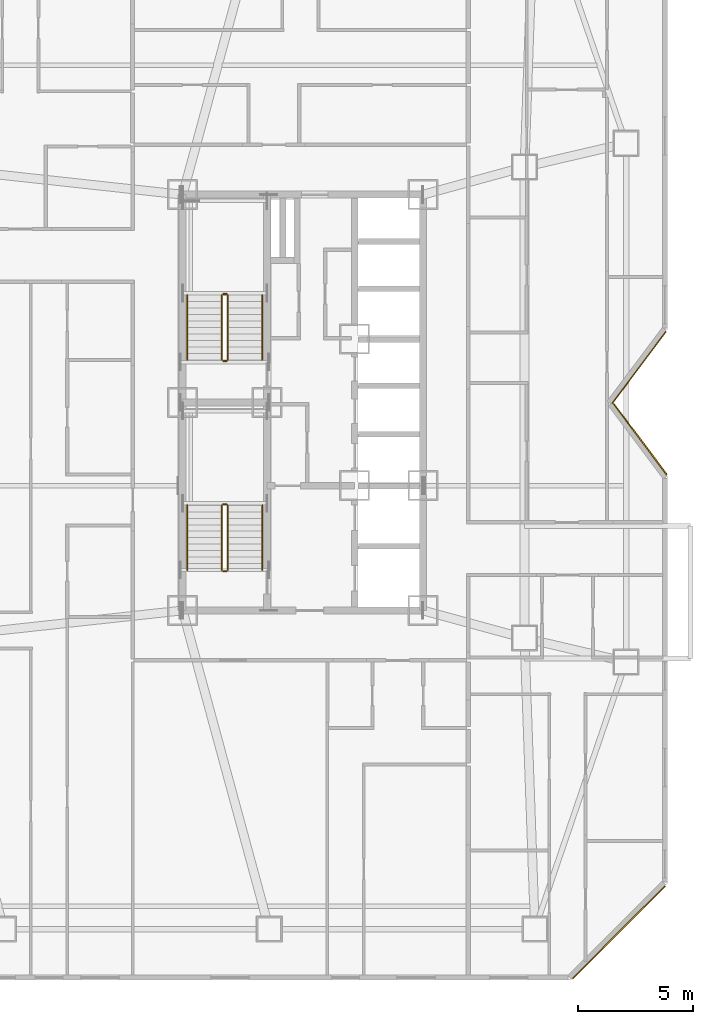
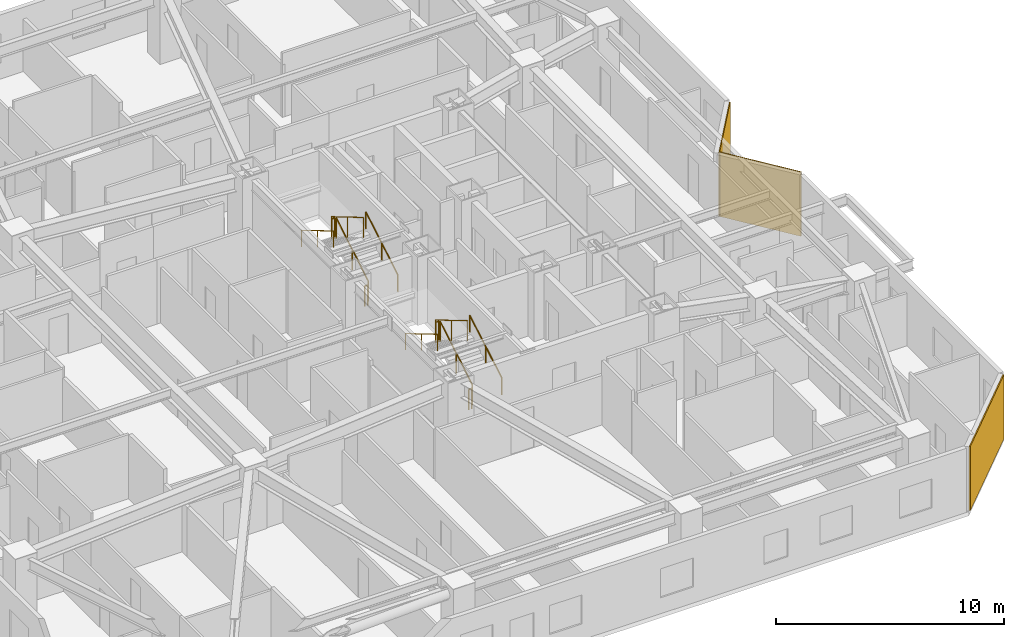
# One storey, part 16 of 17: 12 railings, 3 coverings.
"""IFC4 building model written with IfcOpenShell, lengths in metres."""

from ifc_helpers import new_model, si_unit, direction, frame, origin, origin_2d, place, context, subcontext, project, spatial, rectangle, circle, extrude, material, layer, layer_set, type_object, element, save


model = new_model("IFC4")

# Units and contexts
model_context = context("Model", 3, precision=1e-05, world=origin(), true_north=direction((0.0, 1.0)))
body_context = subcontext(model_context, "Body", "Model", "MODEL_VIEW")
ifc_project = project(units=[si_unit("LENGTHUNIT", "METRE"), si_unit("AREAUNIT", "SQUARE_METRE"), si_unit("VOLUMEUNIT", "CUBIC_METRE"), si_unit("PLANEANGLEUNIT", "RADIAN"), si_unit("MASSUNIT", "GRAM", prefix="KILO")], contexts=[model_context])

# Site, building, storey
site_placement = place(None, origin())
site = spatial("IfcSite", under=ifc_project, at=site_placement, CompositionType="ELEMENT")
building_placement = place(site_placement, origin())
building = spatial("IfcBuilding", under=site, at=building_placement, Name="Khamvora Tower", CompositionType="ELEMENT")
storey_placement = place(building_placement, frame((0.0, 0.0, 73.449951171875)))
storey = spatial("IfcBuildingStorey", under=building, at=storey_placement, Name="L18", CompositionType="ELEMENT", Elevation=73.449951171875)

# Coverings
ifc_material_1 = material(Name="Pale Anodised Aluminium Rainscreen Panel", Category="aluminium")
ifc_layer_1 = layer(ifc_material_1, 0.044921875)
ifc_layer_set_1 = layer_set([ifc_layer_1], Name="Pale Anodised Aluminium Rainscreen Panel")
covering_type_1 = type_object("IfcCoveringType", Name="COV-CLD-ALU", PredefinedType="CLADDING", material=ifc_layer_set_1)
covering_1_placement = place(storey_placement, frame((48.760986328125, 29.51904296875, 0.0), z_axis=(0.0, 0.0, 1.0), x_axis=(-0.600120318085, -0.799909747298, 0.0)))
element("IfcCovering", 1, at=covering_1_placement, inside=storey, type_object=covering_type_1, Name="L18 chamfer rainscreen cladding 10.1", PredefinedType="CLADDING", context=body_context, shape_type="SweptSolid", body=[
    extrude(rectangle(XDim=3.888916015625, YDim=0.044921875, at=origin_2d()), origin(), (0.0, 0.0, 1.0), 3.429931640625),
])
ifc_material_2 = material(Name="Anodised Bronze Aluminium Spandrel Panel", Category="aluminium")
ifc_layer_2 = layer(ifc_material_2, 0.054931640625)
ifc_layer_set_2 = layer_set([ifc_layer_2], Name="Anodised Bronze Aluminium Spandrel Panel")
covering_type_2 = type_object("IfcCoveringType", Name="COV-CLD-BRZ", PredefinedType="CLADDING", material=ifc_layer_set_2)
covering_2_placement = place(storey_placement, frame((48.806884765625, 26.419921875, 0.0), z_axis=(0.0, 0.0, 1.0), x_axis=(0.600161988406, -0.799878483066, 0.0)))
element("IfcCovering", 2, at=covering_2_placement, inside=storey, type_object=covering_type_2, Name="L18 chamfer rainscreen cladding 11.1", PredefinedType="CLADDING", context=body_context, shape_type="SweptSolid", body=[
    extrude(rectangle(XDim=3.85107421875, YDim=0.054931640625, at=origin_2d()), origin(), (0.0, 0.0, 1.0), 3.429931640625),
])
covering_3_placement = place(storey_placement, frame((47.887939453125, 5.06201171875, 0.0), z_axis=(0.0, 0.0, 1.0), x_axis=(-0.707106781187, -0.707106781187, 0.0)))
element("IfcCovering", 3, at=covering_3_placement, inside=storey, type_object=covering_type_2, Name="L18 chamfer rainscreen cladding 13.1", PredefinedType="CLADDING", context=body_context, shape_type="SweptSolid", body=[
    extrude(rectangle(XDim=5.677978515625, YDim=0.054931640625, at=origin_2d()), origin(), (0.0, 0.0, 1.0), 3.429931640625),
])

# Railings
ifc_material_3 = material(Name="Brushed Stainless Steel 316", Category="steel")
railing_type_1 = type_object("IfcRailingType", Name="RAL-HDR-920", PredefinedType="HANDRAIL", material=ifc_material_3)
railing_1_placement = place(storey_placement, frame((32.449951171875, 20.75, 0.166015625)))
element("IfcRailing", 4, at=railing_1_placement, inside=storey, type_object=railing_type_1, Name="L18 ST-01 stair handrail 1", PredefinedType="HANDRAIL", context=body_context, shape_type="SweptSolid", body=[
    extrude(circle(Radius=0.02392578125, at=origin_2d()), frame((0.0, 0.0, 0.8759765625), z_axis=(0.0, 0.860339051648, 0.50972219513), x_axis=(-1.0, 0.0, 0.0)), (0.0, 0.0, 1.0), 3.254638671875),
    extrude(circle(Radius=0.02099609375, at=origin_2d()), origin(), (0.0, 0.0, 1.0), 0.851806640625),
    extrude(circle(Radius=0.02099609375, at=origin_2d()), frame((0.0, 1.39990234375, 0.82958984375)), (0.0, 0.0, 1.0), 0.851806640625),
    extrude(circle(Radius=0.02099609375, at=origin_2d()), frame((0.0, 2.800048828125, 1.658935546875)), (0.0, 0.0, 1.0), 0.851806640625),
])
railing_2_placement = place(storey_placement, frame((29.199951171875, 23.550048828125, 1.990966796875)))
element("IfcRailing", 5, at=railing_2_placement, inside=storey, type_object=railing_type_1, Name="L18 ST-01 stair handrail 2", PredefinedType="HANDRAIL", context=body_context, shape_type="SweptSolid", body=[
    extrude(circle(Radius=0.02392578125, at=origin_2d()), frame((0.0, 0.0, 0.8759765625), z_axis=(0.0, -0.860306154799, 0.50977771628), x_axis=(1.0, 0.0, 0.0)), (0.0, 0.0, 1.0), 3.254638671875),
    extrude(circle(Radius=0.02099609375, at=origin_2d()), origin(), (0.0, 0.0, 1.0), 0.851806640625),
    extrude(circle(Radius=0.02099609375, at=origin_2d()), frame((0.0, -1.39990234375, 0.82958984375)), (0.0, 0.0, 1.0), 0.851806640625),
    extrude(circle(Radius=0.02099609375, at=origin_2d()), frame((0.0, -2.800048828125, 1.6591796875)), (0.0, 0.0, 1.0), 0.851806640625),
])
railing_3_placement = place(storey_placement, frame((32.449951171875, 29.85009765625, 0.166015625)))
element("IfcRailing", 6, at=railing_3_placement, inside=storey, type_object=railing_type_1, Name="L18 ST-02 stair handrail 1", PredefinedType="HANDRAIL", context=body_context, shape_type="SweptSolid", body=[
    extrude(circle(Radius=0.02392578125, at=origin_2d()), frame((0.0, 0.0, 0.8759765625), z_axis=(0.0, 0.860319559791, 0.509755093197), x_axis=(-1.0, 0.0, 0.0)), (0.0, 0.0, 1.0), 3.25439453125),
    extrude(circle(Radius=0.02099609375, at=origin_2d()), origin(), (0.0, 0.0, 1.0), 0.851806640625),
    extrude(circle(Radius=0.02099609375, at=origin_2d()), frame((0.0, 1.39990234375, 0.82958984375)), (0.0, 0.0, 1.0), 0.851806640625),
    extrude(circle(Radius=0.02099609375, at=origin_2d()), frame((0.0, 2.7998046875, 1.658935546875)), (0.0, 0.0, 1.0), 0.851806640625),
])
railing_4_placement = place(storey_placement, frame((29.199951171875, 32.64990234375, 1.990966796875)))
element("IfcRailing", 7, at=railing_4_placement, inside=storey, type_object=railing_type_1, Name="L18 ST-02 stair handrail 2", PredefinedType="HANDRAIL", context=body_context, shape_type="SweptSolid", body=[
    extrude(circle(Radius=0.02392578125, at=origin_2d()), frame((0.0, 0.0, 0.8759765625), z_axis=(0.0, -0.860286659441, 0.509810615413), x_axis=(1.0, 0.0, 0.0)), (0.0, 0.0, 1.0), 3.25439453125),
    extrude(circle(Radius=0.02099609375, at=origin_2d()), origin(), (0.0, 0.0, 1.0), 0.851806640625),
    extrude(circle(Radius=0.02099609375, at=origin_2d()), frame((0.0, -1.39990234375, 0.82958984375)), (0.0, 0.0, 1.0), 0.851806640625),
    extrude(circle(Radius=0.02099609375, at=origin_2d()), frame((0.0, -2.7998046875, 1.6591796875)), (0.0, 0.0, 1.0), 0.851806640625),
])
ifc_material_4 = material(Name="Stainless Steel 316", Category="steel")
railing_type_2 = type_object("IfcRailingType", Name="RAL-STG-1100", PredefinedType="GUARDRAIL", material=ifc_material_4)
railing_5_placement = place(storey_placement, frame((30.949951171875, 20.75, 0.166015625)))
element("IfcRailing", 8, at=railing_5_placement, inside=storey, type_object=railing_type_2, Name="L18 ST-01 stair guard 1", PredefinedType="GUARDRAIL", context=body_context, shape_type="SweptSolid", body=[
    extrude(circle(Radius=0.02392578125, at=origin_2d()), frame((0.0, 0.0, 1.076171875), z_axis=(0.0, 0.860339051648, 0.50972219513), x_axis=(-1.0, 0.0, 0.0)), (0.0, 0.0, 1.0), 3.254638671875),
    extrude(circle(Radius=0.02099609375, at=origin_2d()), origin(), (0.0, 0.0, 1.0), 1.052001953125),
    extrude(circle(Radius=0.02099609375, at=origin_2d()), frame((0.0, 1.39990234375, 0.82958984375)), (0.0, 0.0, 1.0), 1.052001953125),
    extrude(circle(Radius=0.02099609375, at=origin_2d()), frame((0.0, 2.800048828125, 1.658935546875)), (0.0, 0.0, 1.0), 1.052001953125),
])
railing_6_placement = place(storey_placement, frame((30.89990234375, 23.60009765625, 1.824951171875)))
element("IfcRailing", 9, at=railing_6_placement, inside=storey, type_object=railing_type_2, Name="L18 ST-01 stair guard 2", PredefinedType="GUARDRAIL", context=body_context, shape_type="SweptSolid", body=[
    extrude(circle(Radius=0.02392578125, at=origin_2d()), frame((0.0, 0.0, 1.076171875), z_axis=(-1.0, 0.0, 0.0), x_axis=(0.0, -1.0, 0.0)), (0.0, 0.0, 1.0), 0.14990234375),
    extrude(circle(Radius=0.02099609375, at=origin_2d()), origin(), (0.0, 0.0, 1.0), 1.052001953125),
    extrude(circle(Radius=0.02099609375, at=origin_2d()), frame((-0.14990234375, 0.0, 0.0)), (0.0, 0.0, 1.0), 1.052001953125),
])
railing_7_placement = place(storey_placement, frame((30.699951171875, 23.550048828125, 1.990966796875)))
element("IfcRailing", 10, at=railing_7_placement, inside=storey, type_object=railing_type_2, Name="L18 ST-01 stair guard 3", PredefinedType="GUARDRAIL", context=body_context, shape_type="SweptSolid", body=[
    extrude(circle(Radius=0.02392578125, at=origin_2d()), frame((0.0, 0.0, 1.076171875), z_axis=(0.0, -0.860306154799, 0.50977771628), x_axis=(1.0, 0.0, 0.0)), (0.0, 0.0, 1.0), 3.254638671875),
    extrude(circle(Radius=0.02099609375, at=origin_2d()), origin(), (0.0, 0.0, 1.0), 1.052001953125),
    extrude(circle(Radius=0.02099609375, at=origin_2d()), frame((0.0, -1.39990234375, 0.82958984375)), (0.0, 0.0, 1.0), 1.052001953125),
    extrude(circle(Radius=0.02099609375, at=origin_2d()), frame((0.0, -2.800048828125, 1.6591796875)), (0.0, 0.0, 1.0), 1.052001953125),
])
railing_8_placement = place(storey_placement, frame((30.89990234375, 20.699951171875, 0.0)))
element("IfcRailing", 11, at=railing_8_placement, inside=storey, type_object=railing_type_2, Name="L18 ST-01 stair guard 4", PredefinedType="GUARDRAIL", context=body_context, shape_type="SweptSolid", body=[
    extrude(circle(Radius=0.02392578125, at=origin_2d()), frame((0.0, 0.0, 1.076171875), z_axis=(-1.0, 0.0, 0.0), x_axis=(0.0, -1.0, 0.0)), (0.0, 0.0, 1.0), 0.14990234375),
    extrude(circle(Radius=0.02099609375, at=origin_2d()), origin(), (0.0, 0.0, 1.0), 1.052001953125),
    extrude(circle(Radius=0.02099609375, at=origin_2d()), frame((-0.14990234375, 0.0, 0.0)), (0.0, 0.0, 1.0), 1.052001953125),
])
railing_9_placement = place(storey_placement, frame((30.949951171875, 29.85009765625, 0.166015625)))
element("IfcRailing", 12, at=railing_9_placement, inside=storey, type_object=railing_type_2, Name="L18 ST-02 stair guard 1", PredefinedType="GUARDRAIL", context=body_context, shape_type="SweptSolid", body=[
    extrude(circle(Radius=0.02392578125, at=origin_2d()), frame((0.0, 0.0, 1.076171875), z_axis=(0.0, 0.860319559791, 0.509755093197), x_axis=(-1.0, 0.0, 0.0)), (0.0, 0.0, 1.0), 3.25439453125),
    extrude(circle(Radius=0.02099609375, at=origin_2d()), origin(), (0.0, 0.0, 1.0), 1.052001953125),
    extrude(circle(Radius=0.02099609375, at=origin_2d()), frame((0.0, 1.39990234375, 0.82958984375)), (0.0, 0.0, 1.0), 1.052001953125),
    extrude(circle(Radius=0.02099609375, at=origin_2d()), frame((0.0, 2.7998046875, 1.658935546875)), (0.0, 0.0, 1.0), 1.052001953125),
])
railing_10_placement = place(storey_placement, frame((30.89990234375, 32.699951171875, 1.824951171875)))
element("IfcRailing", 13, at=railing_10_placement, inside=storey, type_object=railing_type_2, Name="L18 ST-02 stair guard 2", PredefinedType="GUARDRAIL", context=body_context, shape_type="SweptSolid", body=[
    extrude(circle(Radius=0.02392578125, at=origin_2d()), frame((0.0, 0.0, 1.076171875), z_axis=(-1.0, 0.0, 0.0), x_axis=(0.0, -1.0, 0.0)), (0.0, 0.0, 1.0), 0.14990234375),
    extrude(circle(Radius=0.02099609375, at=origin_2d()), origin(), (0.0, 0.0, 1.0), 1.052001953125),
    extrude(circle(Radius=0.02099609375, at=origin_2d()), frame((-0.14990234375, 0.0, 0.0)), (0.0, 0.0, 1.0), 1.052001953125),
])
railing_11_placement = place(storey_placement, frame((30.699951171875, 32.64990234375, 1.990966796875)))
element("IfcRailing", 14, at=railing_11_placement, inside=storey, type_object=railing_type_2, Name="L18 ST-02 stair guard 3", PredefinedType="GUARDRAIL", context=body_context, shape_type="SweptSolid", body=[
    extrude(circle(Radius=0.02392578125, at=origin_2d()), frame((0.0, 0.0, 1.076171875), z_axis=(0.0, -0.860286659441, 0.509810615413), x_axis=(1.0, 0.0, 0.0)), (0.0, 0.0, 1.0), 3.25439453125),
    extrude(circle(Radius=0.02099609375, at=origin_2d()), origin(), (0.0, 0.0, 1.0), 1.052001953125),
    extrude(circle(Radius=0.02099609375, at=origin_2d()), frame((0.0, -1.39990234375, 0.82958984375)), (0.0, 0.0, 1.0), 1.052001953125),
    extrude(circle(Radius=0.02099609375, at=origin_2d()), frame((0.0, -2.7998046875, 1.6591796875)), (0.0, 0.0, 1.0), 1.052001953125),
])
railing_12_placement = place(storey_placement, frame((30.89990234375, 29.800048828125, 0.0)))
element("IfcRailing", 15, at=railing_12_placement, inside=storey, type_object=railing_type_2, Name="L18 ST-02 stair guard 4", PredefinedType="GUARDRAIL", context=body_context, shape_type="SweptSolid", body=[
    extrude(circle(Radius=0.02392578125, at=origin_2d()), frame((0.0, 0.0, 1.076171875), z_axis=(-1.0, 0.0, 0.0), x_axis=(0.0, -1.0, 0.0)), (0.0, 0.0, 1.0), 0.14990234375),
    extrude(circle(Radius=0.02099609375, at=origin_2d()), origin(), (0.0, 0.0, 1.0), 1.052001953125),
    extrude(circle(Radius=0.02099609375, at=origin_2d()), frame((-0.14990234375, 0.0, 0.0)), (0.0, 0.0, 1.0), 1.052001953125),
])

save(model, "model.ifc")
